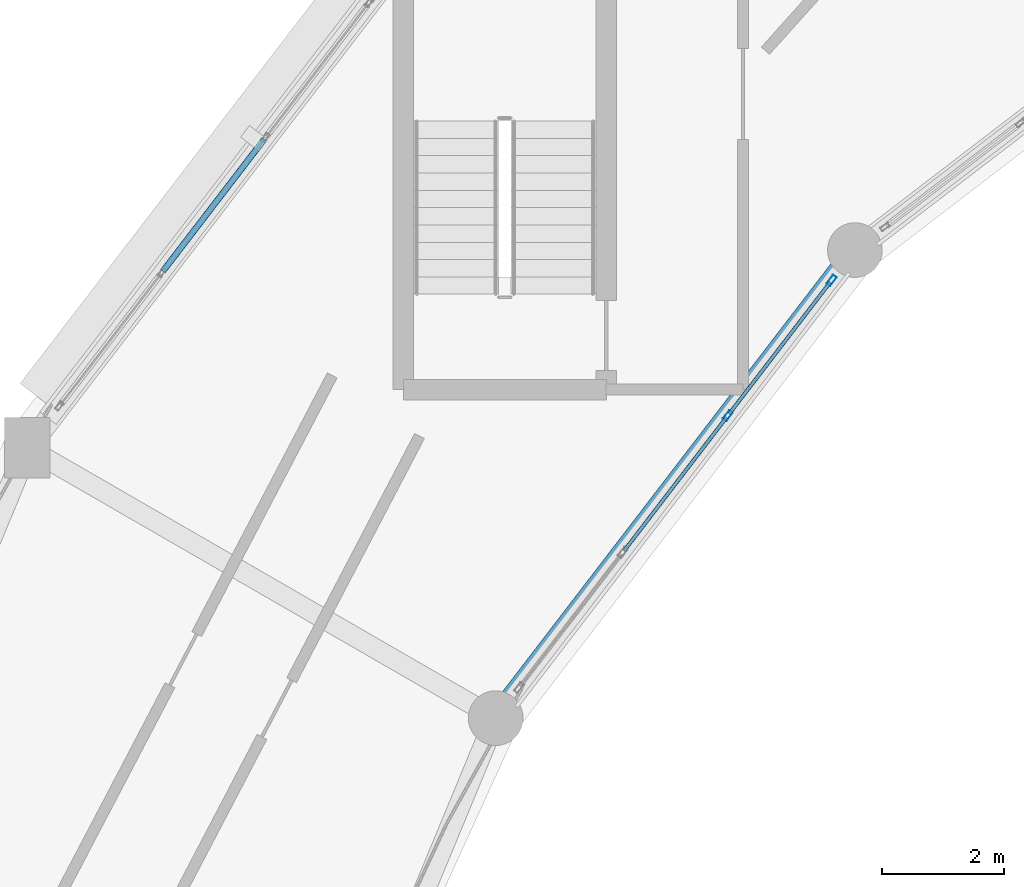
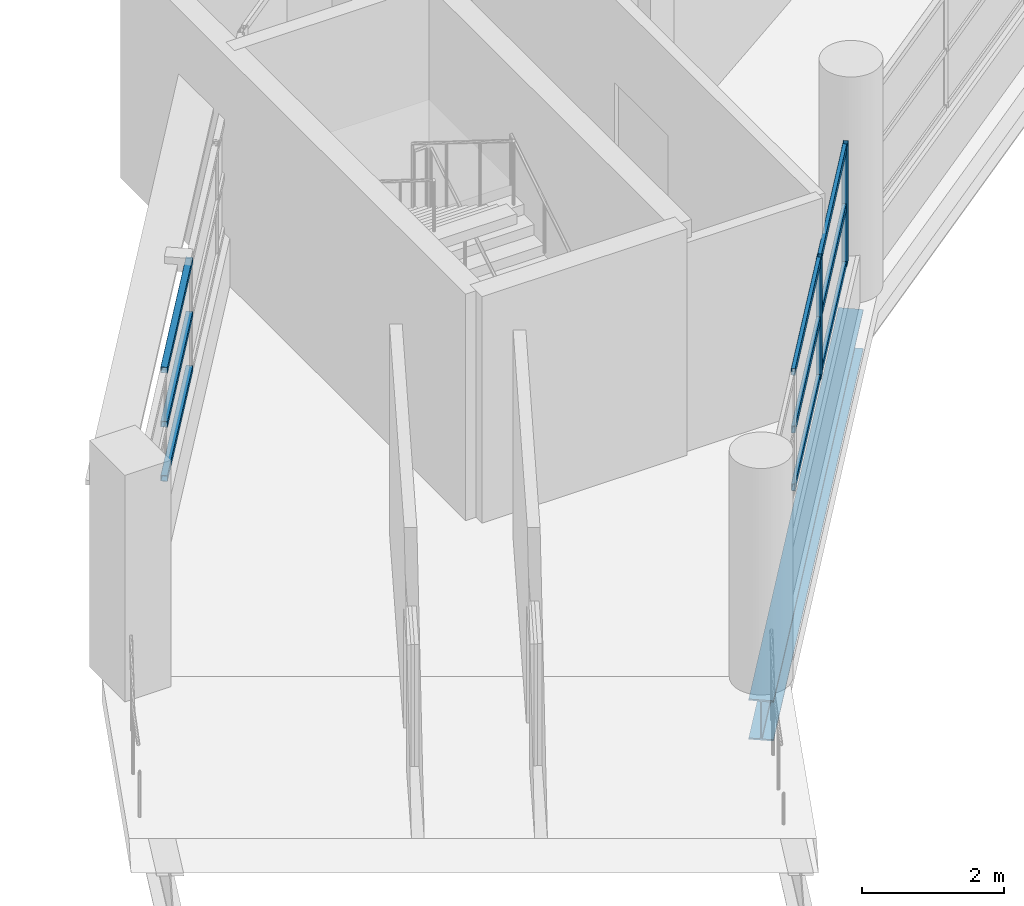
# One storey, part 59 of 108: 11 members, 1 beam, 2 elements without a shape of their own.
"""IFC4 building model written with IfcOpenShell, lengths in metres."""

from ifc_helpers import new_model, si_unit, direction, frame, origin, origin_2d, place, context, subcontext, project, spatial, hollow_rectangle, i_section, extrude, material, layer, layer_set, material_profile, profile_set, type_object, element, aggregate, save


model = new_model("IFC4")

# Units and contexts
model_context = context("Model", 3, precision=1e-05, world=origin(), true_north=direction((0.0, 1.0)))
body_context = subcontext(model_context, "Body", "Model", "MODEL_VIEW")
ifc_project = project(units=[si_unit("LENGTHUNIT", "METRE"), si_unit("AREAUNIT", "SQUARE_METRE"), si_unit("VOLUMEUNIT", "CUBIC_METRE"), si_unit("PLANEANGLEUNIT", "RADIAN"), si_unit("MASSUNIT", "GRAM", prefix="KILO")], contexts=[model_context])

# Site, building, storey
site_placement = place(None, origin())
site = spatial("IfcSite", under=ifc_project, at=site_placement, CompositionType="ELEMENT")
building_placement = place(site_placement, origin())
building = spatial("IfcBuilding", under=site, at=building_placement, Name="Vespera Passage Community Centre", CompositionType="ELEMENT")
storey_placement = place(building_placement, frame((0.0, 0.0, 12.60009765625)))
storey = spatial("IfcBuildingStorey", under=building, at=storey_placement, Name="L03", CompositionType="ELEMENT", Elevation=12.60009765625)

# Beam
ifc_material_1 = material(Name="Steel ASTM A992 Grade 50", Category="steel")
ifc_material_profile_1 = material_profile(ifc_material_1, i_section(OverallWidth=0.3544921875, OverallDepth=0.695556640625, WebThickness=0.015380859375, FlangeThickness=0.024658203125, FilletRadius=0.01513671875, at=origin_2d()), Name="W27X146")
ifc_profile_set_1 = profile_set([ifc_material_profile_1], Name="Steel ASTM A992 Grade 50")
beam_type = type_object("IfcBeamType", Name="BM-SP-W27X146E", PredefinedType="SPANDREL", material=ifc_profile_set_1)
beam_placement = place(storey_placement, frame((51.695556640625, 91.804443359375, -0.747802734375), z_axis=(-0.60875291963, -0.793359869694, 0.0), x_axis=(0.793359869694, -0.60875291963, 0.0)))
element("IfcBeam", 1, at=beam_placement, inside=storey, type_object=beam_type, Name="V4 L03 Inner Spandrel 9", PredefinedType="SPANDREL", context=body_context, shape_type="SweptSolid", body=[
    extrude(i_section(OverallWidth=0.3544921875, OverallDepth=0.695556640625, WebThickness=0.015380859375, FlangeThickness=0.024658203125, FilletRadius=0.01513671875, at=origin_2d()), origin(), (0.0, 0.0, 1.0), 9.7109375),
])

# Curtain wall, members
ifc_material_2 = material(Name="Anodized aluminium 6063-T6", Category="aluminium")
ifc_layer_1 = layer(ifc_material_2, 0.159912109375)
ifc_layer_set_1 = layer_set([ifc_layer_1], Name="Anodized aluminium 6063-T6")
curtain_wall_type_1 = type_object("IfcCurtainWallType", Name="CW-38E", PredefinedType="NOTDEFINED", material=ifc_layer_set_1)
curtain_wall_1_placement = place(storey_placement, origin())
curtain_wall_1 = element("IfcCurtainWall", 2, at=curtain_wall_1_placement, inside=storey, type_object=curtain_wall_type_1, Name="V4 L03 Inner Court Curtain Wall 9", PredefinedType="NOTDEFINED")
ifc_material_3 = material(Name="Anodized aluminium 6063-T6", Category="aluminium")
ifc_material_profile_2 = material_profile(ifc_material_3, hollow_rectangle(XDim=0.074951171875, YDim=0.179931640625, WallThickness=0.0048828125, InnerFilletRadius=0.00244140625, OuterFilletRadius=0.0048828125, at=origin_2d()), Name="ALU180X75X5")
ifc_profile_set_2 = profile_set([ifc_material_profile_2], Name="Anodized aluminium 6063-T6")
member_type_1 = type_object("IfcMemberType", Name="MB-CWM-180E", PredefinedType="MULLION", material=ifc_profile_set_2)
member_1_placement = place(storey_placement, frame((51.311767578125, 91.303955078125, 0.81982421875), z_axis=(0.0, 0.0, 1.0), x_axis=(0.793358205999, -0.608755087843, 0.0)))
member_1 = element("IfcMember", 3, at=member_1_placement, type_object=member_type_1, Name="CW-38E mullion 1", PredefinedType="MULLION", context=body_context, shape_type="SweptSolid", body=[
    extrude(hollow_rectangle(XDim=0.074951171875, YDim=0.179931640625, WallThickness=0.0048828125, InnerFilletRadius=0.00244140625, OuterFilletRadius=0.0048828125, at=origin_2d()), origin(), (0.0, 0.0, 1.0), 2.049560546875),
])
member_2_placement = place(storey_placement, frame((49.604736328125, 89.079345703125, 0.81982421875), z_axis=(0.0, 0.0, 1.0), x_axis=(0.793358205999, -0.608755087843, 0.0)))
member_2 = element("IfcMember", 4, at=member_2_placement, type_object=member_type_1, Name="CW-38E mullion 2", PredefinedType="MULLION", context=body_context, shape_type="SweptSolid", body=[
    extrude(hollow_rectangle(XDim=0.074951171875, YDim=0.179931640625, WallThickness=0.0048828125, InnerFilletRadius=0.00244140625, OuterFilletRadius=0.0048828125, at=origin_2d()), origin(), (0.0, 0.0, 1.0), 2.049560546875),
])

ifc_material_4 = material(Name="Anodized aluminium 6063-T6", Category="aluminium")
ifc_layer_2 = layer(ifc_material_4, 0.159912109375)
ifc_layer_set_2 = layer_set([ifc_layer_2], Name="Anodized aluminium 6063-T6")
curtain_wall_type_2 = type_object("IfcCurtainWallType", Name="CW-46E", PredefinedType="NOTDEFINED", material=ifc_layer_set_2)
curtain_wall_2_placement = place(storey_placement, origin())
curtain_wall_2 = element("IfcCurtainWall", 5, at=curtain_wall_2_placement, inside=storey, type_object=curtain_wall_type_2, Name="V4 L03 Outer Ribbon Curtain Wall 9", PredefinedType="NOTDEFINED")
ifc_material_5 = material(Name="Anodized aluminium 6063-T6", Category="aluminium")
ifc_material_profile_3 = material_profile(ifc_material_5, hollow_rectangle(XDim=0.10009765625, YDim=0.10009765625, WallThickness=0.00390625, InnerFilletRadius=0.001953125, OuterFilletRadius=0.00390625, at=origin_2d()), Name="ALU100X100X4")
ifc_profile_set_3 = profile_set([ifc_material_profile_3], Name="Anodized aluminium 6063-T6")
member_type_2 = type_object("IfcMemberType", Name="MB-CWT-100E", PredefinedType="USERDEFINED", material=ifc_profile_set_3)
member_3_placement = place(storey_placement, frame((40.306884765625, 91.457275390625, 0.869873046875), z_axis=(0.608787438682, 0.793333381689, 0.0), x_axis=(-0.793333381689, 0.608787438682, 0.0)))
member_3 = element("IfcMember", 6, at=member_3_placement, type_object=member_type_2, Name="CW-46E transom 2.1", ObjectType="TRANSOM", PredefinedType="USERDEFINED", context=body_context, shape_type="SweptSolid", body=[
    extrude(hollow_rectangle(XDim=0.10009765625, YDim=0.10009765625, WallThickness=0.00390625, InnerFilletRadius=0.001953125, OuterFilletRadius=0.00390625, at=origin_2d()), origin(), (0.0, 0.0, 1.0), 2.73583984375),
])
member_4_placement = place(storey_placement, frame((40.306884765625, 91.457275390625, 1.802734375), z_axis=(0.608787438682, 0.793333381689, 0.0), x_axis=(-0.793333381689, 0.608787438682, 0.0)))
member_4 = element("IfcMember", 7, at=member_4_placement, type_object=member_type_2, Name="CW-46E transom 2.2", ObjectType="TRANSOM", PredefinedType="USERDEFINED", context=body_context, shape_type="SweptSolid", body=[
    extrude(hollow_rectangle(XDim=0.10009765625, YDim=0.10009765625, WallThickness=0.00390625, InnerFilletRadius=0.001953125, OuterFilletRadius=0.00390625, at=origin_2d()), origin(), (0.0, 0.0, 1.0), 2.73583984375),
])
member_5_placement = place(storey_placement, frame((40.306884765625, 91.457275390625, 2.735595703125), z_axis=(0.608787438682, 0.793333381689, 0.0), x_axis=(-0.793333381689, 0.608787438682, 0.0)))
member_5 = element("IfcMember", 8, at=member_5_placement, type_object=member_type_2, Name="CW-46E transom 2.3", ObjectType="TRANSOM", PredefinedType="USERDEFINED", context=body_context, shape_type="SweptSolid", body=[
    extrude(hollow_rectangle(XDim=0.10009765625, YDim=0.10009765625, WallThickness=0.00390625, InnerFilletRadius=0.001953125, OuterFilletRadius=0.00390625, at=origin_2d()), origin(), (0.0, 0.0, 1.0), 2.73583984375),
])
aggregate(curtain_wall_2, [member_3, member_4, member_5])

# Member
ifc_material_6 = material(Name="Anodized aluminium 6063-T6", Category="aluminium")
ifc_material_profile_4 = material_profile(ifc_material_6, hollow_rectangle(XDim=0.06005859375, YDim=0.1201171875, WallThickness=0.00390625, InnerFilletRadius=0.001953125, OuterFilletRadius=0.00390625, at=origin_2d()), Name="ALU120X60X4")
ifc_profile_set_4 = profile_set([ifc_material_profile_4], Name="Anodized aluminium 6063-T6")
member_type_3 = type_object("IfcMemberType", Name="MB-CWT-120E", PredefinedType="USERDEFINED", material=ifc_profile_set_4)
member_6_placement = place(storey_placement, frame((51.288818359375, 91.2744140625, 0.849853515625), z_axis=(-0.608737609183, -0.793371617318, 0.0), x_axis=(0.793371617318, -0.608737609183, 0.0)))
member_6 = element("IfcMember", 9, at=member_6_placement, type_object=member_type_3, Name="CW-38E transom 1.1", ObjectType="TRANSOM", PredefinedType="USERDEFINED", context=body_context, shape_type="SweptSolid", body=[
    extrude(hollow_rectangle(XDim=0.06005859375, YDim=0.1201171875, WallThickness=0.00390625, InnerFilletRadius=0.001953125, OuterFilletRadius=0.00390625, at=origin_2d()), origin(), (0.0, 0.0, 1.0), 2.729248046875),
])

member_7_placement = place(storey_placement, frame((51.288818359375, 91.2744140625, 1.844482421875), z_axis=(-0.608737609183, -0.793371617318, 0.0), x_axis=(0.793371617318, -0.608737609183, 0.0)))
member_7 = element("IfcMember", 10, at=member_7_placement, type_object=member_type_3, Name="CW-38E transom 1.2", ObjectType="TRANSOM", PredefinedType="USERDEFINED", context=body_context, shape_type="SweptSolid", body=[
    extrude(hollow_rectangle(XDim=0.06005859375, YDim=0.1201171875, WallThickness=0.00390625, InnerFilletRadius=0.001953125, OuterFilletRadius=0.00390625, at=origin_2d()), origin(), (0.0, 0.0, 1.0), 2.729248046875),
])

member_8_placement = place(storey_placement, frame((51.288818359375, 91.2744140625, 2.83935546875), z_axis=(-0.608737609183, -0.793371617318, 0.0), x_axis=(0.793371617318, -0.608737609183, 0.0)))
member_8 = element("IfcMember", 11, at=member_8_placement, type_object=member_type_3, Name="CW-38E transom 1.3", ObjectType="TRANSOM", PredefinedType="USERDEFINED", context=body_context, shape_type="SweptSolid", body=[
    extrude(hollow_rectangle(XDim=0.06005859375, YDim=0.1201171875, WallThickness=0.00390625, InnerFilletRadius=0.001953125, OuterFilletRadius=0.00390625, at=origin_2d()), origin(), (0.0, 0.0, 1.0), 2.729248046875),
])

member_9_placement = place(storey_placement, frame((49.581787109375, 89.049560546875, 0.849853515625), z_axis=(-0.608746452695, -0.793364831796, 0.0), x_axis=(0.793364831796, -0.608746452695, 0.0)))
member_9 = element("IfcMember", 12, at=member_9_placement, type_object=member_type_3, Name="CW-38E transom 2.1", ObjectType="TRANSOM", PredefinedType="USERDEFINED", context=body_context, shape_type="SweptSolid", body=[
    extrude(hollow_rectangle(XDim=0.06005859375, YDim=0.1201171875, WallThickness=0.00390625, InnerFilletRadius=0.001953125, OuterFilletRadius=0.00390625, at=origin_2d()), origin(), (0.0, 0.0, 1.0), 2.766357421875),
])

member_10_placement = place(storey_placement, frame((49.581787109375, 89.049560546875, 1.844482421875), z_axis=(-0.608746452695, -0.793364831796, 0.0), x_axis=(0.793364831796, -0.608746452695, 0.0)))
member_10 = element("IfcMember", 13, at=member_10_placement, type_object=member_type_3, Name="CW-38E transom 2.2", ObjectType="TRANSOM", PredefinedType="USERDEFINED", context=body_context, shape_type="SweptSolid", body=[
    extrude(hollow_rectangle(XDim=0.06005859375, YDim=0.1201171875, WallThickness=0.00390625, InnerFilletRadius=0.001953125, OuterFilletRadius=0.00390625, at=origin_2d()), origin(), (0.0, 0.0, 1.0), 2.766357421875),
])

member_11_placement = place(storey_placement, frame((49.581787109375, 89.049560546875, 2.83935546875), z_axis=(-0.608746452695, -0.793364831796, 0.0), x_axis=(0.793364831796, -0.608746452695, 0.0)))
member_11 = element("IfcMember", 14, at=member_11_placement, type_object=member_type_3, Name="CW-38E transom 2.3", ObjectType="TRANSOM", PredefinedType="USERDEFINED", context=body_context, shape_type="SweptSolid", body=[
    extrude(hollow_rectangle(XDim=0.06005859375, YDim=0.1201171875, WallThickness=0.00390625, InnerFilletRadius=0.001953125, OuterFilletRadius=0.00390625, at=origin_2d()), origin(), (0.0, 0.0, 1.0), 2.766357421875),
])

aggregate(curtain_wall_1, [member_1, member_2, member_6, member_7, member_8, member_9, member_10, member_11])

save(model, "model.ifc")
